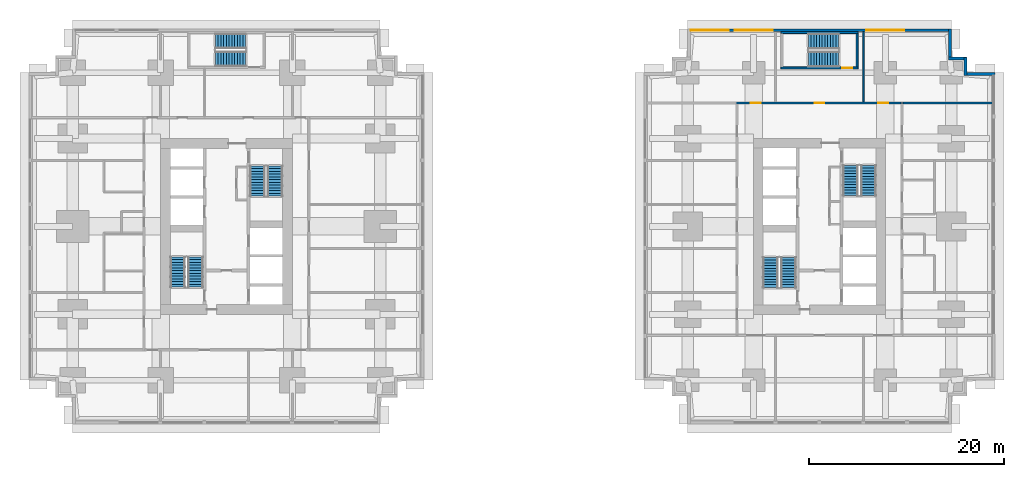
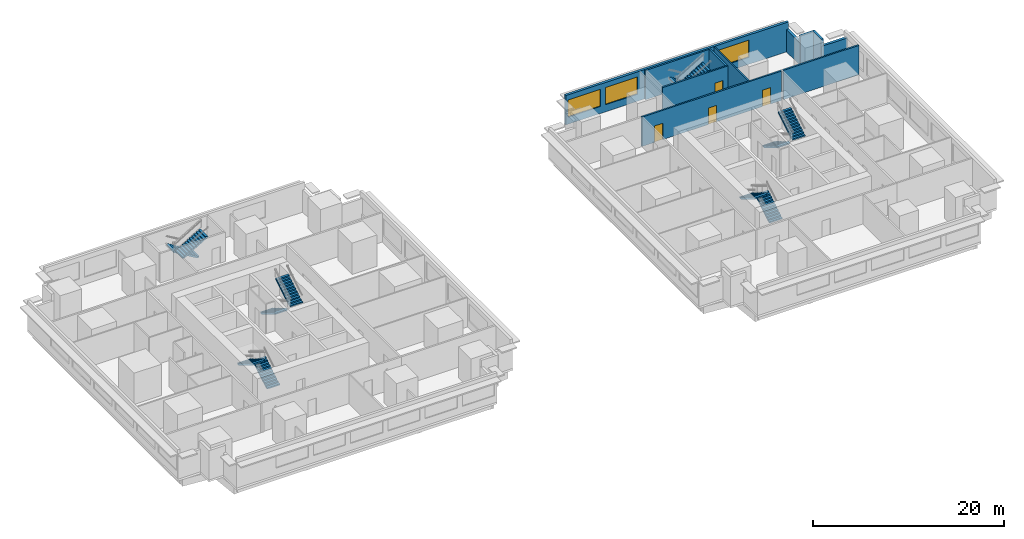
# One storey, part 8 of 11: 12 stair flights, 11 walls, 4 doors, 3 windows, 7 openings, 6 elements without a shape of their own.
"""IFC4 building model written with IfcOpenShell, lengths in metres."""

from ifc_helpers import new_model, si_unit, direction, frame, frame_2d, origin, place, context, subcontext, project, spatial, polyline, rectangle, outline, extrude, material, layer, layer_set, type_object, element, fill, aggregate, save


model = new_model("IFC4")

# Units and contexts
model_context = context("Model", 3, precision=1e-05, world=origin(), true_north=direction((0.0, 1.0)))
body_context = subcontext(model_context, "Body", "Model", "MODEL_VIEW")
ifc_project = project(units=[si_unit("LENGTHUNIT", "METRE"), si_unit("AREAUNIT", "SQUARE_METRE"), si_unit("VOLUMEUNIT", "CUBIC_METRE"), si_unit("PLANEANGLEUNIT", "RADIAN"), si_unit("MASSUNIT", "GRAM", prefix="KILO")], contexts=[model_context])

# Site, building, storey
site_placement = place(None, origin())
site = spatial("IfcSite", under=ifc_project, at=site_placement, CompositionType="ELEMENT")
building_placement = place(site_placement, origin())
building = spatial("IfcBuilding", under=site, at=building_placement, Name="Namib Vertical Campus", CompositionType="ELEMENT")
storey_placement = place(building_placement, frame((0.0, 0.0, 29.0)))
storey = spatial("IfcBuildingStorey", under=building, at=storey_placement, Name="L06", CompositionType="ELEMENT", Elevation=29.0)

# Wall, openings, doors
ifc_material_1 = material(Name="Concrete masonry", Category="masonry")
ifc_layer_1 = layer(ifc_material_1, 0.199951171875)
ifc_layer_set_1 = layer_set([ifc_layer_1], Name="Corridor wall 200")
wall_type_1 = type_object("IfcWallType", Name="Corridor wall 200", PredefinedType="SOLIDWALL", material=ifc_layer_set_1)
wall_1_placement = place(storey_placement, frame((89.35009765625, 32.89990234375, 0.0), z_axis=(0.0, 0.0, 1.0), x_axis=(-1.0, 0.0, 0.0)))
wall_1 = element("IfcWall", 1, at=wall_1_placement, inside=storey, type_object=wall_type_1, Name="Corridor wall B L06 CN", PredefinedType="SOLIDWALL", context=body_context, shape_type="SweptSolid", body=[
    extrude(rectangle(XDim=16.900146484375, YDim=0.199951171875, at=frame_2d((8.4501953125, 0.0))), origin(), (0.0, 0.0, 1.0), 3.75),
])
opening_1_placement = place(wall_1_placement, frame((14.375, 0.0, 0.0)))
opening_1 = element("IfcOpeningElement", 2, at=opening_1_placement, cuts=wall_1, Name="Opening CD1", PredefinedType="OPENING", context=body_context, shape_type="SweptSolid", body=[
    extrude(rectangle(XDim=1.0, YDim=2.10009765625, at=frame_2d((0.5, 1.050048828125))), frame((0.0, 0.10986328125, 0.0), z_axis=(0.0, -1.0, 0.0), x_axis=(1.0, 0.0, 0.0)), (0.0, 0.0, 1.0), 0.219970703125),
])
opening_2_placement = place(wall_1_placement, frame((7.85009765625, 0.0, 0.0)))
opening_2 = element("IfcOpeningElement", 3, at=opening_2_placement, cuts=wall_1, Name="Opening CD1", PredefinedType="OPENING", context=body_context, shape_type="SweptSolid", body=[
    extrude(rectangle(XDim=1.0, YDim=2.10009765625, at=frame_2d((0.5, 1.050048828125))), frame((0.0, 0.10986328125, 0.0), z_axis=(0.0, -1.0, 0.0), x_axis=(1.0, 0.0, 0.0)), (0.0, 0.0, 1.0), 0.219970703125),
])
opening_3_placement = place(wall_1_placement, frame((1.324951171875, 0.0, 0.0)))
opening_3 = element("IfcOpeningElement", 4, at=opening_3_placement, cuts=wall_1, Name="Opening CD1", PredefinedType="OPENING", context=body_context, shape_type="SweptSolid", body=[
    extrude(rectangle(XDim=1.0, YDim=2.10009765625, at=frame_2d((0.5, 1.050048828125))), frame((0.0, 0.10986328125, 0.0), z_axis=(0.0, -1.0, 0.0), x_axis=(1.0, 0.0, 0.0)), (0.0, 0.0, 1.0), 0.219970703125),
])
ifc_material_2 = material(Name="Timber fire door leaf", Category="wood")
door_type_1 = type_object("IfcDoorType", Name="Corridor door 1000x2100 20 min", OperationType="SINGLE_SWING_LEFT", PredefinedType="DOOR", material=ifc_material_2)
door_1_placement = place(opening_1_placement, frame((1.0, 0.0, 0.0), z_axis=(0.0, 0.0, 1.0), x_axis=(-1.0, 0.0, 0.0)))
door_1 = element("IfcDoor", 5, at=door_1_placement, inside=storey, type_object=door_type_1, Name="Door CD1 B06-11", OperationType="SINGLE_SWING_RIGHT", OverallHeight=2.10009765625, OverallWidth=1.0, PredefinedType="DOOR", context=body_context, shape_type="SweptSolid", body=[
    extrude(rectangle(XDim=1.0, YDim=2.10009765625, at=frame_2d((0.5, 1.050048828125))), frame((0.0, 0.02490234375, 0.0), z_axis=(0.0, -1.0, 0.0), x_axis=(1.0, 0.0, 0.0)), (0.0, 0.0, 1.0), 0.050048828125),
])
fill(opening_1, door_1)
door_2_placement = place(opening_2_placement, frame((1.0, 0.0, 0.0), z_axis=(0.0, 0.0, 1.0), x_axis=(-1.0, 0.0, 0.0)))
door_2 = element("IfcDoor", 6, at=door_2_placement, inside=storey, type_object=door_type_1, Name="Door CD1 B06-12", OperationType="SINGLE_SWING_RIGHT", OverallHeight=2.10009765625, OverallWidth=1.0, PredefinedType="DOOR", context=body_context, shape_type="SweptSolid", body=[
    extrude(rectangle(XDim=1.0, YDim=2.10009765625, at=frame_2d((0.5, 1.050048828125))), frame((0.0, 0.02490234375, 0.0), z_axis=(0.0, -1.0, 0.0), x_axis=(1.0, 0.0, 0.0)), (0.0, 0.0, 1.0), 0.050048828125),
])
fill(opening_2, door_2)
door_3_placement = place(opening_3_placement, frame((1.0, 0.0, 0.0), z_axis=(0.0, 0.0, 1.0), x_axis=(-1.0, 0.0, 0.0)))
door_3 = element("IfcDoor", 7, at=door_3_placement, inside=storey, type_object=door_type_1, Name="Door CD1 B06-13", OperationType="SINGLE_SWING_LEFT", OverallHeight=2.10009765625, OverallWidth=1.0, PredefinedType="DOOR", context=body_context, shape_type="SweptSolid", body=[
    extrude(rectangle(XDim=1.0, YDim=2.10009765625, at=frame_2d((0.5, 1.050048828125))), frame((0.0, 0.02490234375, 0.0), z_axis=(0.0, -1.0, 0.0), x_axis=(1.0, 0.0, 0.0)), (0.0, 0.0, 1.0), 0.050048828125),
])
fill(opening_3, door_3)

# Walls
wall_2_placement = place(storey_placement, frame((89.550048828125, 32.89990234375, 0.0), z_axis=(0.0, 0.0, 1.0), x_axis=(1.0, 0.0, 0.0)))
element("IfcWall", 8, at=wall_2_placement, inside=storey, type_object=wall_type_1, Name="Partition B L06 BNE", PredefinedType="SOLIDWALL", context=body_context, shape_type="SweptSolid", body=[
    extrude(rectangle(XDim=9.14990234375, YDim=0.199951171875, at=frame_2d((4.574951171875, 0.0))), origin(), (0.0, 0.0, 1.0), 3.75),
])
ifc_material_3 = material(Name="Concrete C40/50", Category="concrete")
ifc_layer_2 = layer(ifc_material_3, 0.300048828125)
ifc_layer_set_2 = layer_set([ifc_layer_2], Name="Concrete C40/50")
wall_type_2 = type_object("IfcWallType", Name="External wall 300 board-marked concrete", PredefinedType="STANDARD", material=ifc_layer_set_2)
wall_3_placement = place(storey_placement, frame((98.97998046875, 35.85009765625, 0.0), z_axis=(0.0, 0.0, 1.0), x_axis=(-1.0, 0.0, 0.0)))
element("IfcWall", 9, at=wall_3_placement, inside=storey, type_object=wall_type_2, Name="External wall L06 F07", PredefinedType="STANDARD", context=body_context, shape_type="SweptSolid", body=[
    extrude(rectangle(XDim=3.159912109375, YDim=0.300048828125, at=frame_2d((1.580078125, 0.0))), origin(), (0.0, 0.0, 1.0), 2.85009765625),
])
for number, where, z_axis, x_axis, name in (
    (10, (95.949951171875, 35.719970703125, 0.0), (0.0, 0.0, 1.0), (0.0, 1.0, 0.0), "External wall L06 F08"),
    (11, (96.080078125, 37.449951171875, 0.0), (0.0, 0.0, 1.0), (-1.0, 0.0, 0.0), "External wall L06 F09"),
):
    element("IfcWall", number, at=place(storey_placement, frame(where, z_axis=z_axis, x_axis=x_axis)), inside=storey, type_object=wall_type_2, Name=name, PredefinedType="STANDARD", context=body_context, shape_type="SweptSolid", body=[
        extrude(rectangle(XDim=1.860107421875, YDim=0.300048828125, at=frame_2d((0.93017578125, 0.0))), origin(), (0.0, 0.0, 1.0), 3.75),
    ])
wall_4_placement = place(storey_placement, frame((94.35009765625, 37.320068359375, 0.0), z_axis=(0.0, 0.0, 1.0), x_axis=(0.0, 1.0, 0.0)))
element("IfcWall", 12, at=wall_4_placement, inside=storey, type_object=wall_type_2, Name="External wall L06 F10", PredefinedType="STANDARD", context=body_context, shape_type="SweptSolid", body=[
    extrude(rectangle(XDim=3.159912109375, YDim=0.300048828125, at=frame_2d((1.580078125, 0.0))), origin(), (0.0, 0.0, 1.0), 2.85009765625),
])

# Wall, openings, windows
wall_5_placement = place(storey_placement, frame((94.47998046875, 40.35009765625, 0.0), z_axis=(0.0, 0.0, 1.0), x_axis=(-1.0, 0.0, 0.0)))
wall_5 = element("IfcWall", 13, at=wall_5_placement, inside=storey, type_object=wall_type_2, Name="External wall L06 F11", PredefinedType="STANDARD", context=body_context, shape_type="SweptSolid", body=[
    extrude(rectangle(XDim=26.9599609375, YDim=0.300048828125, at=frame_2d((13.47998046875, 0.0))), origin(), (0.0, 0.0, 1.0), 3.75),
])
opening_4_placement = place(wall_5_placement, frame((22.780029296875, 0.0, 0.89990234375)))
opening_4 = element("IfcOpeningElement", 14, at=opening_4_placement, cuts=wall_5, Name="Opening W1", PredefinedType="OPENING", context=body_context, shape_type="SweptSolid", body=[
    extrude(rectangle(XDim=3.89990234375, YDim=2.199951171875, at=frame_2d((1.949951171875, 1.10009765625))), frame((0.0, 0.159912109375, 0.0), z_axis=(0.0, -1.0, 0.0), x_axis=(1.0, 0.0, 0.0)), (0.0, 0.0, 1.0), 0.320068359375),
])
opening_5_placement = place(wall_5_placement, frame((18.280029296875, 0.0, 0.89990234375)))
opening_5 = element("IfcOpeningElement", 15, at=opening_5_placement, cuts=wall_5, Name="Opening W1", PredefinedType="OPENING", context=body_context, shape_type="SweptSolid", body=[
    extrude(rectangle(XDim=3.89990234375, YDim=2.199951171875, at=frame_2d((1.949951171875, 1.10009765625))), frame((0.0, 0.159912109375, 0.0), z_axis=(0.0, -1.0, 0.0), x_axis=(1.0, 0.0, 0.0)), (0.0, 0.0, 1.0), 0.320068359375),
])
opening_6_placement = place(wall_5_placement, frame((4.780029296875, 0.0, 0.89990234375)))
opening_6 = element("IfcOpeningElement", 16, at=opening_6_placement, cuts=wall_5, Name="Opening W1", PredefinedType="OPENING", context=body_context, shape_type="SweptSolid", body=[
    extrude(rectangle(XDim=3.89990234375, YDim=2.199951171875, at=frame_2d((1.949951171875, 1.10009765625))), frame((0.0, 0.159912109375, 0.0), z_axis=(0.0, -1.0, 0.0), x_axis=(1.0, 0.0, 0.0)), (0.0, 0.0, 1.0), 0.320068359375),
])
ifc_material_4 = material(Name="Dark tinted glass in black aluminium frame", Category="aluminium")
window_type = type_object("IfcWindowType", Name="Ribbon window 3900x2200", PartitioningType="SINGLE_PANEL", PredefinedType="WINDOW", material=ifc_material_4)
window_1_placement = place(opening_4_placement, origin())
window_1 = element("IfcWindow", 17, at=window_1_placement, inside=storey, type_object=window_type, Name="Window W1 L06 F11-1", OverallHeight=2.199951171875, OverallWidth=3.89990234375, PartitioningType="SINGLE_PANEL", PredefinedType="WINDOW", context=body_context, shape_type="SweptSolid", body=[
    extrude(rectangle(XDim=3.89990234375, YDim=2.199951171875, at=frame_2d((1.949951171875, 1.10009765625))), frame((0.0, 0.030029296875, 0.0), z_axis=(0.0, -1.0, 0.0), x_axis=(1.0, 0.0, 0.0)), (0.0, 0.0, 1.0), 0.06005859375),
])
fill(opening_4, window_1)
window_2_placement = place(opening_5_placement, origin())
window_2 = element("IfcWindow", 18, at=window_2_placement, inside=storey, type_object=window_type, Name="Window W1 L06 F11-2", OverallHeight=2.199951171875, OverallWidth=3.89990234375, PartitioningType="SINGLE_PANEL", PredefinedType="WINDOW", context=body_context, shape_type="SweptSolid", body=[
    extrude(rectangle(XDim=3.89990234375, YDim=2.199951171875, at=frame_2d((1.949951171875, 1.10009765625))), frame((0.0, 0.030029296875, 0.0), z_axis=(0.0, -1.0, 0.0), x_axis=(1.0, 0.0, 0.0)), (0.0, 0.0, 1.0), 0.06005859375),
])
fill(opening_5, window_2)
window_3_placement = place(opening_6_placement, origin())
window_3 = element("IfcWindow", 19, at=window_3_placement, inside=storey, type_object=window_type, Name="Window W1 L06 F11-5", OverallHeight=2.199951171875, OverallWidth=3.89990234375, PartitioningType="SINGLE_PANEL", PredefinedType="WINDOW", context=body_context, shape_type="SweptSolid", body=[
    extrude(rectangle(XDim=3.89990234375, YDim=2.199951171875, at=frame_2d((1.949951171875, 1.10009765625))), frame((0.0, 0.030029296875, 0.0), z_axis=(0.0, -1.0, 0.0), x_axis=(1.0, 0.0, 0.0)), (0.0, 0.0, 1.0), 0.06005859375),
])
fill(opening_6, window_3)

# Wall
ifc_material_5 = material(Name="Gypsum board on steel studs", Category="steel")
ifc_layer_3 = layer(ifc_material_5, 0.14990234375)
ifc_layer_set_3 = layer_set([ifc_layer_3], Name="Gypsum board on steel studs")
wall_type_3 = type_object("IfcWallType", Name="Partition 150", PredefinedType="PARTITIONING", material=ifc_layer_set_3)
wall_6_placement = place(storey_placement, frame((85.5, 33.0, 0.0), z_axis=(0.0, 0.0, 1.0), x_axis=(0.0, 1.0, 0.0)))
element("IfcWall", 20, at=wall_6_placement, inside=storey, type_object=wall_type_3, Name="Partition B L06 PN2", PredefinedType="PARTITIONING", context=body_context, shape_type="SweptSolid", body=[
    extrude(rectangle(XDim=7.199951171875, YDim=0.14990234375, at=frame_2d((3.60009765625, 0.0))), origin(), (0.0, 0.0, 1.0), 3.75),
])

# Wall, opening, door
ifc_material_6 = material(Name="Concrete C40/50", Category="concrete")
ifc_layer_4 = layer(ifc_material_6, 0.199951171875)
ifc_layer_set_4 = layer_set([ifc_layer_4], Name="Concrete C40/50")
wall_type_4 = type_object("IfcWallType", Name="Stair enclosure wall RC 200", PredefinedType="SOLIDWALL", material=ifc_layer_set_4)
wall_7_placement = place(storey_placement, frame((77.050048828125, 36.5, 0.0), z_axis=(0.0, 0.0, 1.0), x_axis=(1.0, 0.0, 0.0)))
wall_7 = element("IfcWall", 21, at=wall_7_placement, inside=storey, type_object=wall_type_4, Name="Stair enclosure wall B-S3 L06 S", PredefinedType="SOLIDWALL", context=body_context, shape_type="SweptSolid", body=[
    extrude(rectangle(XDim=7.89990234375, YDim=0.199951171875, at=frame_2d((3.949951171875, 0.0))), origin(), (0.0, 0.0, 1.0), 3.75),
])
opening_7_placement = place(wall_7_placement, frame((6.300048828125, 0.0, 0.0)))
opening_7 = element("IfcOpeningElement", 22, at=opening_7_placement, cuts=wall_7, Name="Opening FD1", PredefinedType="OPENING", context=body_context, shape_type="SweptSolid", body=[
    extrude(rectangle(XDim=1.0, YDim=2.10009765625, at=frame_2d((0.5, 1.050048828125))), frame((0.0, 0.10986328125, 0.0), z_axis=(0.0, -1.0, 0.0), x_axis=(1.0, 0.0, 0.0)), (0.0, 0.0, 1.0), 0.219970703125),
])
ifc_material_7 = material(Name="Steel fire door", Category="steel")
door_type_2 = type_object("IfcDoorType", Name="Fire door 1000x2100", OperationType="SINGLE_SWING_RIGHT", PredefinedType="DOOR", material=ifc_material_7)
door_4_placement = place(opening_7_placement, origin())
door_4 = element("IfcDoor", 23, at=door_4_placement, inside=storey, type_object=door_type_2, Name="Stair door FD1 B L06 S3", OperationType="SINGLE_SWING_RIGHT", OverallHeight=2.10009765625, OverallWidth=1.0, PredefinedType="DOOR", context=body_context, shape_type="SweptSolid", body=[
    extrude(rectangle(XDim=1.0, YDim=2.10009765625, at=frame_2d((0.5, 1.050048828125))), frame((0.0, 0.02490234375, 0.0), z_axis=(0.0, -1.0, 0.0), x_axis=(1.0, 0.0, 0.0)), (0.0, 0.0, 1.0), 0.050048828125),
])
fill(opening_7, door_4)

# Walls
wall_8_placement = place(storey_placement, frame((77.050048828125, 40.10009765625, 0.0), z_axis=(0.0, 0.0, 1.0), x_axis=(1.0, 0.0, 0.0)))
element("IfcWall", 24, at=wall_8_placement, inside=storey, type_object=wall_type_4, Name="Stair enclosure wall B-S3 L06 N", PredefinedType="SOLIDWALL", context=body_context, shape_type="SweptSolid", body=[
    extrude(rectangle(XDim=7.89990234375, YDim=0.199951171875, at=frame_2d((3.949951171875, 0.0))), origin(), (0.0, 0.0, 1.0), 3.75),
])
wall_9_placement = place(storey_placement, frame((84.85009765625, 36.60009765625, 0.0), z_axis=(0.0, 0.0, 1.0), x_axis=(0.0, 1.0, 0.0)))
element("IfcWall", 25, at=wall_9_placement, inside=storey, type_object=wall_type_4, Name="Stair enclosure wall B-S3 L06 E", PredefinedType="SOLIDWALL", context=body_context, shape_type="SweptSolid", body=[
    extrude(rectangle(XDim=3.39990234375, YDim=0.199951171875, at=frame_2d((1.699951171875, 0.0))), origin(), (0.0, 0.0, 1.0), 3.75),
])

# Stair, stair flights
ifc_material_8 = material(Name="Concrete C40/50 precast", Category="concrete")
stair_type_1 = type_object("IfcStairType", Name="Exit stair 4000 rise 24 risers 3350 wide", PredefinedType="HALF_TURN_STAIR", material=ifc_material_8)
stair_1_placement = place(storey_placement, origin())
stair_1 = element("IfcStair", 26, at=stair_1_placement, inside=storey, type_object=stair_type_1, Name="Exit stair A-S1 L06", PredefinedType="HALF_TURN_STAIR")
ifc_material_9 = material(Name="Concrete C40/50 precast", Category="concrete")
stair_flight_type_1 = type_object("IfcStairFlightType", Name="Stair flight 12 risers 167 1525 wide", PredefinedType="STRAIGHT", material=ifc_material_9)
stair_flight_1_placement = place(storey_placement, frame((17.08740234375, 14.050048828125, 0.0), z_axis=(0.0, 0.0, 1.0), x_axis=(0.0, 1.0, 0.0)))
stair_flight_1 = element("IfcStairFlight", 27, at=stair_flight_1_placement, type_object=stair_flight_type_1, Name="A-S1 flight 1", NumberOfRisers=12, NumberOfTreads=11, PredefinedType="STRAIGHT", RiserHeight=0.166666667, TreadLength=0.28, context=body_context, shape_type="SweptSolid", body=[
    extrude(outline(polyline([(0.0, 0.0), (0.0, 0.166748046875), (0.280029296875, 0.166748046875), (0.280029296875, 0.333251953125), (0.56005859375, 0.333251953125), (0.56005859375, 0.5), (0.840087890625, 0.5), (0.840087890625, 0.666748046875), (1.1201171875, 0.666748046875), (1.1201171875, 0.833251953125), (1.39990234375, 0.833251953125), (1.39990234375, 1.0), (1.679931640625, 1.0), (1.679931640625, 1.166748046875), (1.9599609375, 1.166748046875), (1.9599609375, 1.333251953125), (2.239990234375, 1.333251953125), (2.239990234375, 1.5), (2.52001953125, 1.5), (2.52001953125, 1.666748046875), (2.800048828125, 1.666748046875), (2.800048828125, 1.833251953125), (3.080078125, 1.833251953125), (3.080078125, 2.0), (3.080078125, 1.658935546875), (0.29296875, 0.0), (0.0, 0.0)])), frame((0.0, 0.762451171875, 0.0), z_axis=(0.0, -1.0, 0.0), x_axis=(1.0, 0.0, 0.0)), (0.0, 0.0, 1.0), 1.52490234375),
])
stair_flight_2_placement = place(storey_placement, frame((15.262451171875, 17.1298828125, 2.0), z_axis=(0.0, 0.0, 1.0), x_axis=(0.0, -1.0, 0.0)))
stair_flight_2 = element("IfcStairFlight", 28, at=stair_flight_2_placement, type_object=stair_flight_type_1, Name="A-S1 flight 2", NumberOfRisers=12, NumberOfTreads=11, PredefinedType="STRAIGHT", RiserHeight=0.166666667, TreadLength=0.28, context=body_context, shape_type="SweptSolid", body=[
    extrude(outline(polyline([(0.0, 0.0), (0.0, 0.166748046875), (0.280029296875, 0.166748046875), (0.280029296875, 0.333251953125), (0.56005859375, 0.333251953125), (0.56005859375, 0.5), (0.840087890625, 0.5), (0.840087890625, 0.666748046875), (1.1201171875, 0.666748046875), (1.1201171875, 0.833251953125), (1.39990234375, 0.833251953125), (1.39990234375, 1.0), (1.679931640625, 1.0), (1.679931640625, 1.166748046875), (1.9599609375, 1.166748046875), (1.9599609375, 1.333251953125), (2.239990234375, 1.333251953125), (2.239990234375, 1.5), (2.52001953125, 1.5), (2.52001953125, 1.666748046875), (2.800048828125, 1.666748046875), (2.800048828125, 1.833251953125), (3.080078125, 1.833251953125), (3.080078125, 2.0), (3.080078125, 1.658935546875), (0.29296875, 0.0), (0.0, 0.0)])), frame((0.0, 0.762451171875, 0.0), z_axis=(0.0, -1.0, 0.0), x_axis=(1.0, 0.0, 0.0)), (0.0, 0.0, 1.0), 1.52490234375),
])
aggregate(stair_1, [stair_flight_1, stair_flight_2])

stair_2_placement = place(storey_placement, origin())
stair_2 = element("IfcStair", 29, at=stair_2_placement, inside=storey, type_object=stair_type_1, Name="Exit stair A-S2 L06", PredefinedType="HALF_TURN_STAIR")
stair_flight_3_placement = place(storey_placement, frame((23.41259765625, 26.449951171875, 0.0), z_axis=(0.0, 0.0, 1.0), x_axis=(0.0, -1.0, 0.0)))
stair_flight_3 = element("IfcStairFlight", 30, at=stair_flight_3_placement, type_object=stair_flight_type_1, Name="A-S2 flight 1", NumberOfRisers=12, NumberOfTreads=11, PredefinedType="STRAIGHT", RiserHeight=0.166666667, TreadLength=0.28, context=body_context, shape_type="SweptSolid", body=[
    extrude(outline(polyline([(0.0, 0.0), (0.0, 0.166748046875), (0.280029296875, 0.166748046875), (0.280029296875, 0.333251953125), (0.56005859375, 0.333251953125), (0.56005859375, 0.5), (0.840087890625, 0.5), (0.840087890625, 0.666748046875), (1.1201171875, 0.666748046875), (1.1201171875, 0.833251953125), (1.39990234375, 0.833251953125), (1.39990234375, 1.0), (1.679931640625, 1.0), (1.679931640625, 1.166748046875), (1.9599609375, 1.166748046875), (1.9599609375, 1.333251953125), (2.239990234375, 1.333251953125), (2.239990234375, 1.5), (2.52001953125, 1.5), (2.52001953125, 1.666748046875), (2.800048828125, 1.666748046875), (2.800048828125, 1.833251953125), (3.080078125, 1.833251953125), (3.080078125, 2.0), (3.080078125, 1.658935546875), (0.29296875, 0.0), (0.0, 0.0)])), frame((0.0, 0.762451171875, 0.0), z_axis=(0.0, -1.0, 0.0), x_axis=(1.0, 0.0, 0.0)), (0.0, 0.0, 1.0), 1.52490234375),
])
stair_flight_4_placement = place(storey_placement, frame((25.237548828125, 23.3701171875, 2.0), z_axis=(0.0, 0.0, 1.0), x_axis=(0.0, 1.0, 0.0)))
stair_flight_4 = element("IfcStairFlight", 31, at=stair_flight_4_placement, type_object=stair_flight_type_1, Name="A-S2 flight 2", NumberOfRisers=12, NumberOfTreads=11, PredefinedType="STRAIGHT", RiserHeight=0.166666667, TreadLength=0.28, context=body_context, shape_type="SweptSolid", body=[
    extrude(outline(polyline([(0.0, 0.0), (0.0, 0.166748046875), (0.280029296875, 0.166748046875), (0.280029296875, 0.333251953125), (0.56005859375, 0.333251953125), (0.56005859375, 0.5), (0.840087890625, 0.5), (0.840087890625, 0.666748046875), (1.1201171875, 0.666748046875), (1.1201171875, 0.833251953125), (1.39990234375, 0.833251953125), (1.39990234375, 1.0), (1.679931640625, 1.0), (1.679931640625, 1.166748046875), (1.9599609375, 1.166748046875), (1.9599609375, 1.333251953125), (2.239990234375, 1.333251953125), (2.239990234375, 1.5), (2.52001953125, 1.5), (2.52001953125, 1.666748046875), (2.800048828125, 1.666748046875), (2.800048828125, 1.833251953125), (3.080078125, 1.833251953125), (3.080078125, 2.0), (3.080078125, 1.658935546875), (0.29296875, 0.0), (0.0, 0.0)])), frame((0.0, 0.762451171875, 0.0), z_axis=(0.0, -1.0, 0.0), x_axis=(1.0, 0.0, 0.0)), (0.0, 0.0, 1.0), 1.52490234375),
])
aggregate(stair_2, [stair_flight_3, stair_flight_4])

stair_3_placement = place(storey_placement, origin())
stair_3 = element("IfcStair", 32, at=stair_3_placement, inside=storey, type_object=stair_type_1, Name="Exit stair A-S3 L06", PredefinedType="HALF_TURN_STAIR")
stair_flight_5_placement = place(storey_placement, frame((22.199951171875, 39.237548828125, 0.0), z_axis=(0.0, 0.0, 1.0), x_axis=(-1.0, 0.0, 0.0)))
stair_flight_5 = element("IfcStairFlight", 33, at=stair_flight_5_placement, type_object=stair_flight_type_1, Name="A-S3 flight 1", NumberOfRisers=12, NumberOfTreads=11, PredefinedType="STRAIGHT", RiserHeight=0.166666667, TreadLength=0.28, context=body_context, shape_type="SweptSolid", body=[
    extrude(outline(polyline([(0.0, 0.0), (0.0, 0.166748046875), (0.280029296875, 0.166748046875), (0.280029296875, 0.333251953125), (0.56005859375, 0.333251953125), (0.56005859375, 0.5), (0.840087890625, 0.5), (0.840087890625, 0.666748046875), (1.1201171875, 0.666748046875), (1.1201171875, 0.833251953125), (1.39990234375, 0.833251953125), (1.39990234375, 1.0), (1.679931640625, 1.0), (1.679931640625, 1.166748046875), (1.9599609375, 1.166748046875), (1.9599609375, 1.333251953125), (2.239990234375, 1.333251953125), (2.239990234375, 1.5), (2.52001953125, 1.5), (2.52001953125, 1.666748046875), (2.800048828125, 1.666748046875), (2.800048828125, 1.833251953125), (3.080078125, 1.833251953125), (3.080078125, 2.0), (3.080078125, 1.658935546875), (0.29296875, 0.0), (0.0, 0.0)])), frame((0.0, 0.762451171875, 0.0), z_axis=(0.0, -1.0, 0.0), x_axis=(1.0, 0.0, 0.0)), (0.0, 0.0, 1.0), 1.52490234375),
])
stair_flight_6_placement = place(storey_placement, frame((19.1201171875, 37.41259765625, 2.0), z_axis=(0.0, 0.0, 1.0), x_axis=(1.0, 0.0, 0.0)))
stair_flight_6 = element("IfcStairFlight", 34, at=stair_flight_6_placement, type_object=stair_flight_type_1, Name="A-S3 flight 2", NumberOfRisers=12, NumberOfTreads=11, PredefinedType="STRAIGHT", RiserHeight=0.166666667, TreadLength=0.28, context=body_context, shape_type="SweptSolid", body=[
    extrude(outline(polyline([(0.0, 0.0), (0.0, 0.166748046875), (0.280029296875, 0.166748046875), (0.280029296875, 0.333251953125), (0.56005859375, 0.333251953125), (0.56005859375, 0.5), (0.840087890625, 0.5), (0.840087890625, 0.666748046875), (1.1201171875, 0.666748046875), (1.1201171875, 0.833251953125), (1.39990234375, 0.833251953125), (1.39990234375, 1.0), (1.679931640625, 1.0), (1.679931640625, 1.166748046875), (1.9599609375, 1.166748046875), (1.9599609375, 1.333251953125), (2.239990234375, 1.333251953125), (2.239990234375, 1.5), (2.52001953125, 1.5), (2.52001953125, 1.666748046875), (2.800048828125, 1.666748046875), (2.800048828125, 1.833251953125), (3.080078125, 1.833251953125), (3.080078125, 2.0), (3.080078125, 1.658935546875), (0.29296875, 0.0), (0.0, 0.0)])), frame((0.0, 0.762451171875, 0.0), z_axis=(0.0, -1.0, 0.0), x_axis=(1.0, 0.0, 0.0)), (0.0, 0.0, 1.0), 1.52490234375),
])
aggregate(stair_3, [stair_flight_5, stair_flight_6])

ifc_material_10 = material(Name="Concrete C40/50 precast", Category="concrete")
stair_type_2 = type_object("IfcStairType", Name="Exit stair 4000 rise 24 risers 3400 wide", PredefinedType="HALF_TURN_STAIR", material=ifc_material_10)
stair_4_placement = place(storey_placement, origin())
stair_4 = element("IfcStair", 35, at=stair_4_placement, inside=storey, type_object=stair_type_2, Name="Exit stair B-S1 L06", PredefinedType="HALF_TURN_STAIR")
ifc_material_11 = material(Name="Concrete C40/50 precast", Category="concrete")
stair_flight_type_2 = type_object("IfcStairFlightType", Name="Stair flight 12 risers 167 1550 wide", PredefinedType="STRAIGHT", material=ifc_material_11)
stair_flight_7_placement = place(storey_placement, frame((77.824951171875, 14.0, 0.0), z_axis=(0.0, 0.0, 1.0), x_axis=(0.0, 1.0, 0.0)))
stair_flight_7 = element("IfcStairFlight", 36, at=stair_flight_7_placement, type_object=stair_flight_type_2, Name="B-S1 flight 1", NumberOfRisers=12, NumberOfTreads=11, PredefinedType="STRAIGHT", RiserHeight=0.166666667, TreadLength=0.28, context=body_context, shape_type="SweptSolid", body=[
    extrude(outline(polyline([(0.0, 0.0), (0.0, 0.166748046875), (0.280029296875, 0.166748046875), (0.280029296875, 0.333251953125), (0.56005859375, 0.333251953125), (0.56005859375, 0.5), (0.840087890625, 0.5), (0.840087890625, 0.666748046875), (1.1201171875, 0.666748046875), (1.1201171875, 0.833251953125), (1.39990234375, 0.833251953125), (1.39990234375, 1.0), (1.679931640625, 1.0), (1.679931640625, 1.166748046875), (1.9599609375, 1.166748046875), (1.9599609375, 1.333251953125), (2.239990234375, 1.333251953125), (2.239990234375, 1.5), (2.52001953125, 1.5), (2.52001953125, 1.666748046875), (2.800048828125, 1.666748046875), (2.800048828125, 1.833251953125), (3.080078125, 1.833251953125), (3.080078125, 2.0), (3.080078125, 1.658935546875), (0.29296875, 0.0), (0.0, 0.0)])), frame((0.0, 0.77490234375, 0.0), z_axis=(0.0, -1.0, 0.0), x_axis=(1.0, 0.0, 0.0)), (0.0, 0.0, 1.0), 1.550048828125),
])
stair_flight_8_placement = place(storey_placement, frame((75.97509765625, 17.080078125, 2.0), z_axis=(0.0, 0.0, 1.0), x_axis=(0.0, -1.0, 0.0)))
stair_flight_8 = element("IfcStairFlight", 37, at=stair_flight_8_placement, type_object=stair_flight_type_2, Name="B-S1 flight 2", NumberOfRisers=12, NumberOfTreads=11, PredefinedType="STRAIGHT", RiserHeight=0.166666667, TreadLength=0.28, context=body_context, shape_type="SweptSolid", body=[
    extrude(outline(polyline([(0.0, 0.0), (0.0, 0.166748046875), (0.280029296875, 0.166748046875), (0.280029296875, 0.333251953125), (0.56005859375, 0.333251953125), (0.56005859375, 0.5), (0.840087890625, 0.5), (0.840087890625, 0.666748046875), (1.1201171875, 0.666748046875), (1.1201171875, 0.833251953125), (1.39990234375, 0.833251953125), (1.39990234375, 1.0), (1.679931640625, 1.0), (1.679931640625, 1.166748046875), (1.9599609375, 1.166748046875), (1.9599609375, 1.333251953125), (2.239990234375, 1.333251953125), (2.239990234375, 1.5), (2.52001953125, 1.5), (2.52001953125, 1.666748046875), (2.800048828125, 1.666748046875), (2.800048828125, 1.833251953125), (3.080078125, 1.833251953125), (3.080078125, 2.0), (3.080078125, 1.658935546875), (0.29296875, 0.0), (0.0, 0.0)])), frame((0.0, 0.77490234375, 0.0), z_axis=(0.0, -1.0, 0.0), x_axis=(1.0, 0.0, 0.0)), (0.0, 0.0, 1.0), 1.550048828125),
])
aggregate(stair_4, [stair_flight_7, stair_flight_8])

stair_5_placement = place(storey_placement, origin())
stair_5 = element("IfcStair", 38, at=stair_5_placement, inside=storey, type_object=stair_type_2, Name="Exit stair B-S2 L06", PredefinedType="HALF_TURN_STAIR")
stair_flight_9_placement = place(storey_placement, frame((84.175048828125, 26.5, 0.0), z_axis=(0.0, 0.0, 1.0), x_axis=(0.0, -1.0, 0.0)))
stair_flight_9 = element("IfcStairFlight", 39, at=stair_flight_9_placement, type_object=stair_flight_type_2, Name="B-S2 flight 1", NumberOfRisers=12, NumberOfTreads=11, PredefinedType="STRAIGHT", RiserHeight=0.166666667, TreadLength=0.28, context=body_context, shape_type="SweptSolid", body=[
    extrude(outline(polyline([(0.0, 0.0), (0.0, 0.166748046875), (0.280029296875, 0.166748046875), (0.280029296875, 0.333251953125), (0.56005859375, 0.333251953125), (0.56005859375, 0.5), (0.840087890625, 0.5), (0.840087890625, 0.666748046875), (1.1201171875, 0.666748046875), (1.1201171875, 0.833251953125), (1.39990234375, 0.833251953125), (1.39990234375, 1.0), (1.679931640625, 1.0), (1.679931640625, 1.166748046875), (1.9599609375, 1.166748046875), (1.9599609375, 1.333251953125), (2.239990234375, 1.333251953125), (2.239990234375, 1.5), (2.52001953125, 1.5), (2.52001953125, 1.666748046875), (2.800048828125, 1.666748046875), (2.800048828125, 1.833251953125), (3.080078125, 1.833251953125), (3.080078125, 2.0), (3.080078125, 1.658935546875), (0.29296875, 0.0), (0.0, 0.0)])), frame((0.0, 0.77490234375, 0.0), z_axis=(0.0, -1.0, 0.0), x_axis=(1.0, 0.0, 0.0)), (0.0, 0.0, 1.0), 1.550048828125),
])
stair_flight_10_placement = place(storey_placement, frame((86.02490234375, 23.419921875, 2.0), z_axis=(0.0, 0.0, 1.0), x_axis=(0.0, 1.0, 0.0)))
stair_flight_10 = element("IfcStairFlight", 40, at=stair_flight_10_placement, type_object=stair_flight_type_2, Name="B-S2 flight 2", NumberOfRisers=12, NumberOfTreads=11, PredefinedType="STRAIGHT", RiserHeight=0.166666667, TreadLength=0.28, context=body_context, shape_type="SweptSolid", body=[
    extrude(outline(polyline([(0.0, 0.0), (0.0, 0.166748046875), (0.280029296875, 0.166748046875), (0.280029296875, 0.333251953125), (0.56005859375, 0.333251953125), (0.56005859375, 0.5), (0.840087890625, 0.5), (0.840087890625, 0.666748046875), (1.1201171875, 0.666748046875), (1.1201171875, 0.833251953125), (1.39990234375, 0.833251953125), (1.39990234375, 1.0), (1.679931640625, 1.0), (1.679931640625, 1.166748046875), (1.9599609375, 1.166748046875), (1.9599609375, 1.333251953125), (2.239990234375, 1.333251953125), (2.239990234375, 1.5), (2.52001953125, 1.5), (2.52001953125, 1.666748046875), (2.800048828125, 1.666748046875), (2.800048828125, 1.833251953125), (3.080078125, 1.833251953125), (3.080078125, 2.0), (3.080078125, 1.658935546875), (0.29296875, 0.0), (0.0, 0.0)])), frame((0.0, 0.77490234375, 0.0), z_axis=(0.0, -1.0, 0.0), x_axis=(1.0, 0.0, 0.0)), (0.0, 0.0, 1.0), 1.550048828125),
])
aggregate(stair_5, [stair_flight_9, stair_flight_10])

stair_6_placement = place(storey_placement, origin())
stair_6 = element("IfcStair", 41, at=stair_6_placement, inside=storey, type_object=stair_type_2, Name="Exit stair B-S3 L06", PredefinedType="HALF_TURN_STAIR")
stair_flight_11_placement = place(storey_placement, frame((82.949951171875, 39.22509765625, 0.0), z_axis=(0.0, 0.0, 1.0), x_axis=(-1.0, 0.0, 0.0)))
stair_flight_11 = element("IfcStairFlight", 42, at=stair_flight_11_placement, type_object=stair_flight_type_2, Name="B-S3 flight 1", NumberOfRisers=12, NumberOfTreads=11, PredefinedType="STRAIGHT", RiserHeight=0.166666667, TreadLength=0.28, context=body_context, shape_type="SweptSolid", body=[
    extrude(outline(polyline([(0.0, 0.0), (0.0, 0.166748046875), (0.280029296875, 0.166748046875), (0.280029296875, 0.333251953125), (0.56005859375, 0.333251953125), (0.56005859375, 0.5), (0.840087890625, 0.5), (0.840087890625, 0.666748046875), (1.1201171875, 0.666748046875), (1.1201171875, 0.833251953125), (1.39990234375, 0.833251953125), (1.39990234375, 1.0), (1.679931640625, 1.0), (1.679931640625, 1.166748046875), (1.9599609375, 1.166748046875), (1.9599609375, 1.333251953125), (2.239990234375, 1.333251953125), (2.239990234375, 1.5), (2.52001953125, 1.5), (2.52001953125, 1.666748046875), (2.800048828125, 1.666748046875), (2.800048828125, 1.833251953125), (3.080078125, 1.833251953125), (3.080078125, 2.0), (3.080078125, 1.658935546875), (0.29296875, 0.0), (0.0, 0.0)])), frame((0.0, 0.77490234375, 0.0), z_axis=(0.0, -1.0, 0.0), x_axis=(1.0, 0.0, 0.0)), (0.0, 0.0, 1.0), 1.550048828125),
])
stair_flight_12_placement = place(storey_placement, frame((79.8701171875, 37.375, 2.0), z_axis=(0.0, 0.0, 1.0), x_axis=(1.0, 0.0, 0.0)))
stair_flight_12 = element("IfcStairFlight", 43, at=stair_flight_12_placement, type_object=stair_flight_type_2, Name="B-S3 flight 2", NumberOfRisers=12, NumberOfTreads=11, PredefinedType="STRAIGHT", RiserHeight=0.166666667, TreadLength=0.28, context=body_context, shape_type="SweptSolid", body=[
    extrude(outline(polyline([(0.0, 0.0), (0.0, 0.166748046875), (0.280029296875, 0.166748046875), (0.280029296875, 0.333251953125), (0.56005859375, 0.333251953125), (0.56005859375, 0.5), (0.840087890625, 0.5), (0.840087890625, 0.666748046875), (1.1201171875, 0.666748046875), (1.1201171875, 0.833251953125), (1.39990234375, 0.833251953125), (1.39990234375, 1.0), (1.679931640625, 1.0), (1.679931640625, 1.166748046875), (1.9599609375, 1.166748046875), (1.9599609375, 1.333251953125), (2.239990234375, 1.333251953125), (2.239990234375, 1.5), (2.52001953125, 1.5), (2.52001953125, 1.666748046875), (2.800048828125, 1.666748046875), (2.800048828125, 1.833251953125), (3.080078125, 1.833251953125), (3.080078125, 2.0), (3.080078125, 1.658935546875), (0.29296875, 0.0), (0.0, 0.0)])), frame((0.0, 0.77490234375, 0.0), z_axis=(0.0, -1.0, 0.0), x_axis=(1.0, 0.0, 0.0)), (0.0, 0.0, 1.0), 1.550048828125),
])
aggregate(stair_6, [stair_flight_11, stair_flight_12])

save(model, "model.ifc")
